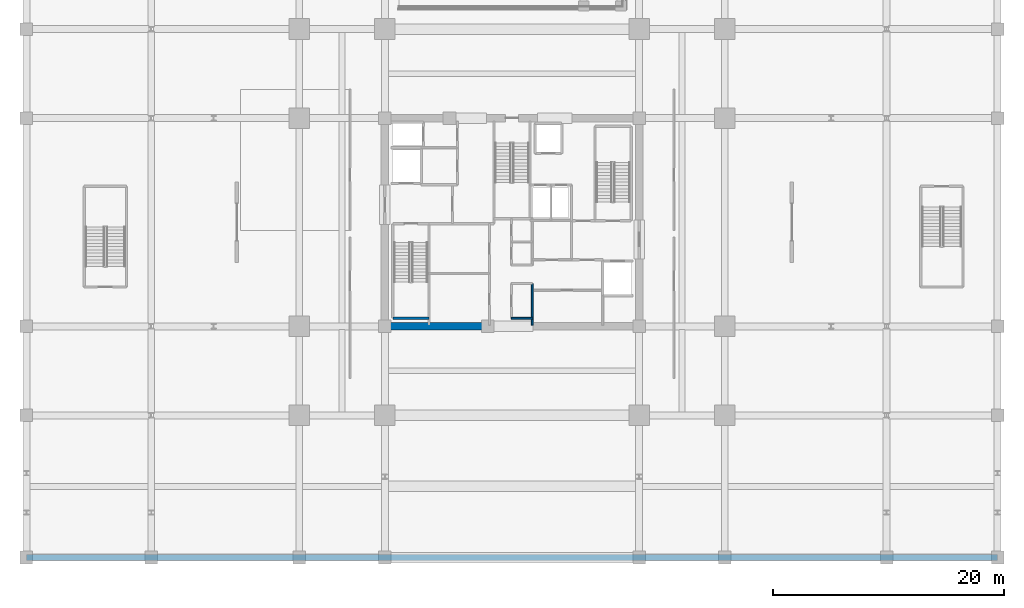
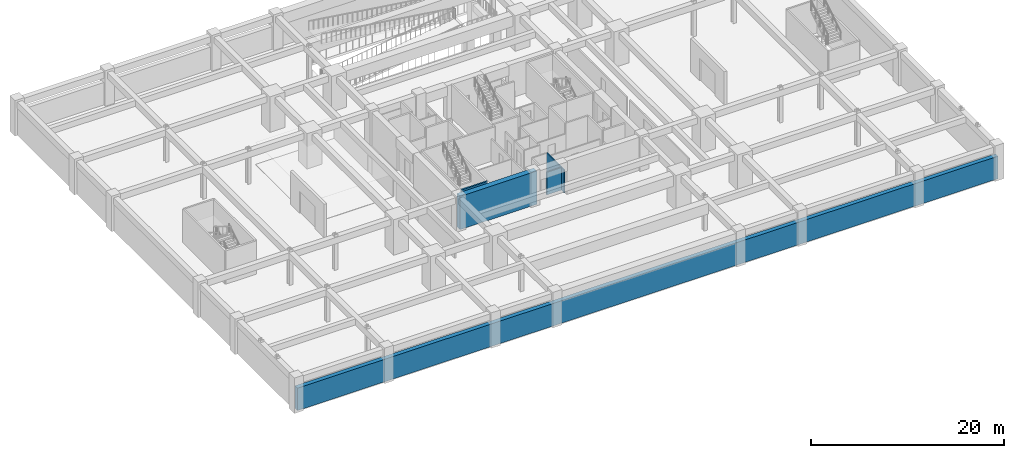
# One storey, part 7 of 16: 5 walls.
"""IFC4 building model written with IfcOpenShell, lengths in metres."""

from ifc_helpers import new_model, si_unit, direction, frame, frame_2d, origin, place, context, subcontext, project, spatial, rectangle, extrude, material, layer, layer_set, type_object, element, save


model = new_model("IFC4")

# Units and contexts
model_context = context("Model", 3, precision=1e-05, world=origin(), true_north=direction((0.0, 1.0)))
body_context = subcontext(model_context, "Body", "Model", "MODEL_VIEW")
ifc_project = project(units=[si_unit("LENGTHUNIT", "METRE"), si_unit("AREAUNIT", "SQUARE_METRE"), si_unit("VOLUMEUNIT", "CUBIC_METRE"), si_unit("PLANEANGLEUNIT", "RADIAN"), si_unit("MASSUNIT", "GRAM", prefix="KILO")], contexts=[model_context])

# Site, building, storey
site_placement = place(None, origin())
site = spatial("IfcSite", under=ifc_project, at=site_placement, CompositionType="ELEMENT")
building_placement = place(site_placement, origin())
building = spatial("IfcBuilding", under=site, at=building_placement, Name="Kovane Verandah Tower", CompositionType="ELEMENT")
storey_placement = place(building_placement, frame((0.0, 0.0, -4.5)))
storey = spatial("IfcBuildingStorey", under=building, at=storey_placement, Name="B1", CompositionType="ELEMENT", Elevation=-4.5)

# Walls
ifc_material_1 = material(Name="Fire-Rated Gypsum Stud Partition", Category="gypsum")
ifc_layer_1 = layer(ifc_material_1, 0.14990234375)
ifc_layer_set_1 = layer_set([ifc_layer_1], Name="Fire-Rated Gypsum Stud Partition")
wall_type_1 = type_object("IfcWallType", Name="WL-COR-150", PredefinedType="PARTITIONING", material=ifc_layer_set_1)
wall_1_placement = place(storey_placement, frame((39.949951171875, 19.199951171875, 0.0), z_axis=(0.0, 0.0, 1.0), x_axis=(1.0, 0.0, 0.0)))
element("IfcWall", 1, at=wall_1_placement, inside=storey, type_object=wall_type_1, Name="B1 Central Core Strip South Wall", PredefinedType="PARTITIONING", context=body_context, shape_type="SweptSolid", body=[
    extrude(rectangle(XDim=1.81005859375, YDim=0.14990234375, at=frame_2d((0.905029296875, 0.0))), origin(), (0.0, 0.0, 1.0), 2.85009765625),
])
wall_2_placement = place(storey_placement, frame((41.760009765625, 18.60009765625, 0.0), z_axis=(0.0, 0.0, 1.0), x_axis=(0.0, 1.0, 0.0)))
element("IfcWall", 2, at=wall_2_placement, inside=storey, type_object=wall_type_1, Name="B1 Central Core Strip Lower East Wall", PredefinedType="PARTITIONING", context=body_context, shape_type="SweptSolid", body=[
    extrude(rectangle(XDim=3.599853515625, YDim=0.14990234375, at=frame_2d((1.7998046875, 0.0))), origin(), (0.0, 0.0, 1.0), 2.85009765625),
])
ifc_material_2 = material(Name="Concrete C80/95", Category="concrete")
ifc_layer_2 = layer(ifc_material_2, 0.64990234375)
ifc_layer_set_2 = layer_set([ifc_layer_2], Name="Concrete C80/95")
wall_type_2 = type_object("IfcWallType", Name="WL-CORE-650", PredefinedType="SHEAR", material=ifc_layer_set_2)
wall_3_placement = place(storey_placement, frame((29.0, 18.5, 0.0), z_axis=(0.0, 0.0, 1.0), x_axis=(1.0, 0.0, 0.0)))
element("IfcWall", 3, at=wall_3_placement, inside=storey, type_object=wall_type_2, Name="B1 Core Shear Wall CS-1", PredefinedType="SHEAR", context=body_context, shape_type="SweptSolid", body=[
    extrude(rectangle(XDim=9.199951171875, YDim=0.64990234375, at=frame_2d((4.60009765625, 0.0))), origin(), (0.0, 0.0, 1.0), 4.219970703125),
])
ifc_material_3 = material(Name="Concrete C45/55", Category="concrete")
ifc_layer_3 = layer(ifc_material_3, 0.5)
ifc_layer_set_3 = layer_set([ifc_layer_3], Name="Concrete C45/55")
wall_type_3 = type_object("IfcWallType", Name="WL-RET-500", PredefinedType="USERDEFINED", material=ifc_layer_set_3)
wall_4_placement = place(storey_placement, frame((-2.0, -1.5, 0.0), z_axis=(0.0, 0.0, 1.0), x_axis=(1.0, 0.0, 0.0)))
element("IfcWall", 4, at=wall_4_placement, inside=storey, type_object=wall_type_3, Name="B1 Basement Perimeter Wall RS", ObjectType="RETAININGWALL", PredefinedType="USERDEFINED", context=body_context, shape_type="SweptSolid", body=[
    extrude(rectangle(XDim=84.0, YDim=0.5, at=frame_2d((42.0, 0.0))), origin(), (0.0, 0.0, 1.0), 2.85009765625),
])
ifc_layer_4 = layer(ifc_material_3, 0.199951171875)
ifc_layer_set_4 = layer_set([ifc_layer_4], Name="Concrete C45/55")
wall_type_4 = type_object("IfcWallType", Name="WL-SHAFT-200", PredefinedType="SOLIDWALL", material=ifc_layer_set_4)
wall_5_placement = place(storey_placement, frame((29.699951171875, 19.199951171875, 0.0), z_axis=(0.0, 0.0, 1.0), x_axis=(1.0, 0.0, 0.0)))
element("IfcWall", 5, at=wall_5_placement, inside=storey, type_object=wall_type_4, Name="W-B1-ST01-S", PredefinedType="SOLIDWALL", context=body_context, shape_type="SweptSolid", body=[
    extrude(rectangle(XDim=3.1201171875, YDim=0.199951171875, at=frame_2d((1.56005859375, 0.0))), origin(), (0.0, 0.0, 1.0), 4.219970703125),
])

save(model, "model.ifc")
